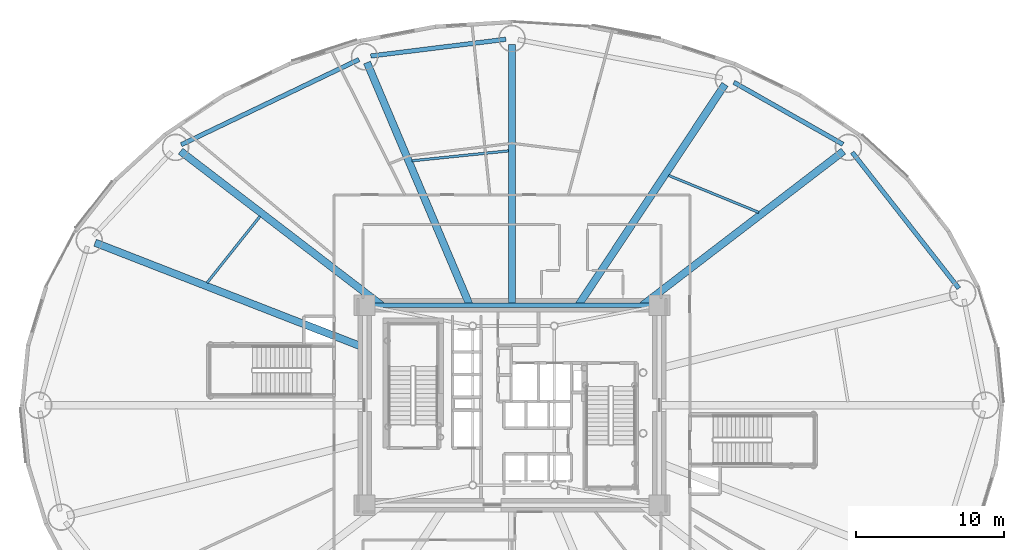
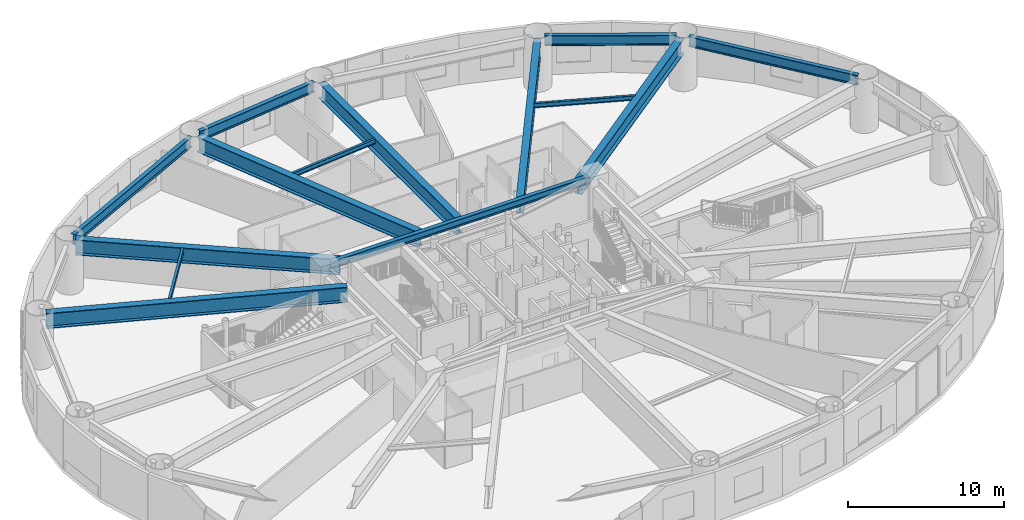
# One storey, part 9 of 27: 14 beams.
"""IFC4 building model written with IfcOpenShell, lengths in metres."""

from ifc_helpers import new_model, si_unit, direction, frame, origin, origin_2d, place, context, subcontext, project, spatial, i_section, extrude, material, material_profile, profile_set, type_object, element, save


model = new_model("IFC4")

# Units and contexts
model_context = context("Model", 3, precision=1e-05, world=origin(), true_north=direction((0.0, 1.0)))
body_context = subcontext(model_context, "Body", "Model", "MODEL_VIEW")
ifc_project = project(units=[si_unit("LENGTHUNIT", "METRE"), si_unit("AREAUNIT", "SQUARE_METRE"), si_unit("VOLUMEUNIT", "CUBIC_METRE"), si_unit("PLANEANGLEUNIT", "RADIAN"), si_unit("MASSUNIT", "GRAM", prefix="KILO")], contexts=[model_context])

# Site, building, storey
site_placement = place(None, origin())
site = spatial("IfcSite", under=ifc_project, at=site_placement, CompositionType="ELEMENT")
building_placement = place(site_placement, origin())
building = spatial("IfcBuilding", under=site, at=building_placement, Name="Linh Dai School and Residence Tower", CompositionType="ELEMENT")
storey_placement = place(building_placement, frame((0.0, 0.0, 22.800048828125)))
storey = spatial("IfcBuildingStorey", under=building, at=storey_placement, Name="L05", CompositionType="ELEMENT", Elevation=22.800048828125)

# Beams
ifc_material = material(Name="Structural Steel S355JR", Category="steel")
ifc_material_profile_1 = material_profile(ifc_material, i_section(OverallWidth=0.300048828125, OverallDepth=0.550048828125, WebThickness=0.014892578125, FlangeThickness=0.029052734375, FilletRadius=0.027099609375, at=origin_2d()), Name="HEB 550")
ifc_profile_set_1 = profile_set([ifc_material_profile_1], Name="Structural Steel S355JR")
beam_type_1 = type_object("IfcBeamType", Name="BM-RG55", PredefinedType="BEAM", material=ifc_profile_set_1)
beam_1_placement = place(storey_placement, frame((45.530029296875, 33.75, 3.625), z_axis=(-1.0, 0.0, 0.0), x_axis=(0.0, -1.0, 0.0)))
element("IfcBeam", 1, at=beam_1_placement, inside=storey, type_object=beam_type_1, Name="L05 Core Perimeter Coupling Girder 3", PredefinedType="BEAM", context=body_context, shape_type="SweptSolid", body=[
    extrude(i_section(OverallWidth=0.300048828125, OverallDepth=0.550048828125, WebThickness=0.014892578125, FlangeThickness=0.029052734375, FilletRadius=0.027099609375, at=origin_2d()), origin(), (0.0, 0.0, 1.0), 19.06005859375),
])
ifc_material_profile_2 = material_profile(ifc_material, i_section(OverallWidth=0.300048828125, OverallDepth=0.800048828125, WebThickness=0.017578125, FlangeThickness=0.032958984375, FilletRadius=0.030029296875, at=origin_2d()), Name="HEB 800")
ifc_profile_set_2 = profile_set([ifc_material_profile_2], Name="Structural Steel S355JR")
beam_type_2 = type_object("IfcBeamType", Name="BM-RG8", PredefinedType="BEAM", material=ifc_profile_set_2)
beam_2_placement = place(storey_placement, frame((66.161376953125, 34.885986328125, 3.5), z_axis=(-0.616811949607, 0.787110550572, 0.0), x_axis=(-0.787110550572, -0.616811949607, 0.0)))
element("IfcBeam", 2, at=beam_2_placement, inside=storey, type_object=beam_type_2, Name="L05 Perimeter Elliptical Ring Beam 02", PredefinedType="BEAM", context=body_context, shape_type="SweptSolid", body=[
    extrude(i_section(OverallWidth=0.300048828125, OverallDepth=0.800048828125, WebThickness=0.017578125, FlangeThickness=0.032958984375, FilletRadius=0.030029296875, at=origin_2d()), origin(), (0.0, 0.0, 1.0), 11.668212890625),
])
beam_3_placement = place(storey_placement, frame((58.340087890625, 44.6083984375, 3.5), z_axis=(-0.869246663758, 0.494378637833, 0.0), x_axis=(-0.494378637833, -0.869246663758, 0.0)))
element("IfcBeam", 3, at=beam_3_placement, inside=storey, type_object=beam_type_2, Name="L05 Perimeter Elliptical Ring Beam 03", PredefinedType="BEAM", context=body_context, shape_type="SweptSolid", body=[
    extrude(i_section(OverallWidth=0.300048828125, OverallDepth=0.800048828125, WebThickness=0.017578125, FlangeThickness=0.032958984375, FilletRadius=0.030029296875, at=origin_2d()), origin(), (0.0, 0.0, 1.0), 8.4736328125),
])
beam_4_placement = place(storey_placement, frame((35.583251953125, 51.6982421875, 3.5), z_axis=(-0.992402470446, -0.123033884169, 0.0), x_axis=(0.123033884169, -0.992402470446, 0.0)))
element("IfcBeam", 4, at=beam_4_placement, inside=storey, type_object=beam_type_2, Name="L05 Perimeter Elliptical Ring Beam 05", PredefinedType="BEAM", context=body_context, shape_type="SweptSolid", body=[
    extrude(i_section(OverallWidth=0.300048828125, OverallDepth=0.800048828125, WebThickness=0.017578125, FlangeThickness=0.032958984375, FilletRadius=0.030029296875, at=origin_2d()), origin(), (0.0, 0.0, 1.0), 9.1875),
])
beam_5_placement = place(storey_placement, frame((25.670166015625, 50.33447265625, 3.5), z_axis=(-0.901703667424, -0.432354595388, 0.0), x_axis=(0.432354595388, -0.901703667424, 0.0)))
element("IfcBeam", 5, at=beam_5_placement, inside=storey, type_object=beam_type_2, Name="L05 Perimeter Elliptical Ring Beam 06", PredefinedType="BEAM", context=body_context, shape_type="SweptSolid", body=[
    extrude(i_section(OverallWidth=0.300048828125, OverallDepth=0.800048828125, WebThickness=0.017578125, FlangeThickness=0.032958984375, FilletRadius=0.030029296875, at=origin_2d()), origin(), (0.0, 0.0, 1.0), 13.304443359375),
])
ifc_material_profile_3 = material_profile(ifc_material, i_section(OverallWidth=0.169921875, OverallDepth=0.360107421875, WebThickness=0.008056640625, FlangeThickness=0.0126953125, FilletRadius=0.01806640625, at=origin_2d()), Name="IPE 360")
ifc_profile_set_3 = profile_set([ifc_material_profile_3], Name="Structural Steel S355JR")
beam_type_3 = type_object("IfcBeamType", Name="BM-SB36", PredefinedType="BEAM", material=ifc_profile_set_3)
beam_6_placement = place(storey_placement, frame((52.655517578125, 40.0146484375, 3.719970703125), z_axis=(-0.925232757167, 0.379399980318, 0.0), x_axis=(-0.379399980318, -0.925232757167, 0.0)))
element("IfcBeam", 6, at=beam_6_placement, inside=storey, type_object=beam_type_3, Name="L05 Secondary Circumferential Floor Beam 02", PredefinedType="BEAM", context=body_context, shape_type="SweptSolid", body=[
    extrude(i_section(OverallWidth=0.169921875, OverallDepth=0.360107421875, WebThickness=0.008056640625, FlangeThickness=0.0126953125, FilletRadius=0.01806640625, at=origin_2d()), origin(), (0.0, 0.0, 1.0), 6.5791015625),
])
beam_7_placement = place(storey_placement, frame((35.771240234375, 44.16650390625, 3.719970703125), z_axis=(-0.994771633593, -0.102124419206, 0.0), x_axis=(0.102124419206, -0.994771633593, 0.0)))
element("IfcBeam", 7, at=beam_7_placement, inside=storey, type_object=beam_type_3, Name="L05 Secondary Circumferential Floor Beam 03", PredefinedType="BEAM", context=body_context, shape_type="SweptSolid", body=[
    extrude(i_section(OverallWidth=0.169921875, OverallDepth=0.360107421875, WebThickness=0.008056640625, FlangeThickness=0.0126953125, FilletRadius=0.01806640625, at=origin_2d()), origin(), (0.0, 0.0, 1.0), 6.5478515625),
])
beam_8_placement = place(storey_placement, frame((18.988525390625, 39.74755859375, 3.719970703125), z_axis=(-0.622918583331, -0.782286672864, 0.0), x_axis=(0.782286672864, -0.622918583331, 0.0)))
element("IfcBeam", 8, at=beam_8_placement, inside=storey, type_object=beam_type_3, Name="L05 Secondary Circumferential Floor Beam 04", PredefinedType="BEAM", context=body_context, shape_type="SweptSolid", body=[
    extrude(i_section(OverallWidth=0.169921875, OverallDepth=0.360107421875, WebThickness=0.008056640625, FlangeThickness=0.0126953125, FilletRadius=0.01806640625, at=origin_2d()), origin(), (0.0, 0.0, 1.0), 5.737060546875),
])
ifc_material_profile_4 = material_profile(ifc_material, i_section(OverallWidth=0.5, OverallDepth=1.199951171875, WebThickness=0.02392578125, FlangeThickness=0.044921875, at=origin_2d()), Name="PG 1200x500x24x45")
ifc_profile_set_4 = profile_set([ifc_material_profile_4], Name="Structural Steel S355JR")
beam_type_4 = type_object("IfcBeamType", Name="BM-TG12", PredefinedType="BEAM", material=ifc_profile_set_4)
beam_9_placement = place(storey_placement, frame((44.807861328125, 33.75, 3.300048828125), z_axis=(0.793713040757, 0.608292371259, 0.0), x_axis=(-0.608292371259, 0.793713040757, 0.0)))
element("IfcBeam", 9, at=beam_9_placement, inside=storey, type_object=beam_type_4, Name="L05 Primary Radial Floor Girder 03", PredefinedType="BEAM", context=body_context, shape_type="SweptSolid", body=[
    extrude(i_section(OverallWidth=0.5, OverallDepth=1.199951171875, WebThickness=0.02392578125, FlangeThickness=0.044921875, at=origin_2d()), origin(), (0.0, 0.0, 1.0), 17.08935546875),
])
beam_10_placement = place(storey_placement, frame((40.481201171875, 33.75, 3.300048828125), z_axis=(0.553108911901, 0.833108955404, 0.0), x_axis=(-0.833108955404, 0.553108911901, 0.0)))
element("IfcBeam", 10, at=beam_10_placement, inside=storey, type_object=beam_type_4, Name="L05 Primary Radial Floor Girder 04", PredefinedType="BEAM", context=body_context, shape_type="SweptSolid", body=[
    extrude(i_section(OverallWidth=0.5, OverallDepth=1.199951171875, WebThickness=0.02392578125, FlangeThickness=0.044921875, at=origin_2d()), origin(), (0.0, 0.0, 1.0), 17.89111328125),
])
beam_11_placement = place(storey_placement, frame((36.0, 33.75, 3.300048828125), z_axis=(0.0, 1.0, 0.0), x_axis=(-1.0, 0.0, 0.0)))
element("IfcBeam", 11, at=beam_11_placement, inside=storey, type_object=beam_type_4, Name="L05 Primary Radial Floor Girder 05", PredefinedType="BEAM", context=body_context, shape_type="SweptSolid", body=[
    extrude(i_section(OverallWidth=0.5, OverallDepth=1.199951171875, WebThickness=0.02392578125, FlangeThickness=0.044921875, at=origin_2d()), origin(), (0.0, 0.0, 1.0), 17.580078125),
])
beam_12_placement = place(storey_placement, frame((33.1435546875, 33.75, 3.300048828125), z_axis=(-0.389695518128, 0.920943756779, 0.0), x_axis=(-0.920943756779, -0.389695518128, 0.0)))
element("IfcBeam", 12, at=beam_12_placement, inside=storey, type_object=beam_type_4, Name="L05 Primary Radial Floor Girder 06", PredefinedType="BEAM", context=body_context, shape_type="SweptSolid", body=[
    extrude(i_section(OverallWidth=0.5, OverallDepth=1.199951171875, WebThickness=0.02392578125, FlangeThickness=0.044921875, at=origin_2d()), origin(), (0.0, 0.0, 1.0), 17.785400390625),
])
beam_13_placement = place(storey_placement, frame((27.192138671875, 33.75, 3.300048828125), z_axis=(-0.793713040757, 0.608292371259, 0.0), x_axis=(-0.608292371259, -0.793713040757, 0.0)))
element("IfcBeam", 13, at=beam_13_placement, inside=storey, type_object=beam_type_4, Name="L05 Primary Radial Floor Girder 07", PredefinedType="BEAM", context=body_context, shape_type="SweptSolid", body=[
    extrude(i_section(OverallWidth=0.5, OverallDepth=1.199951171875, WebThickness=0.02392578125, FlangeThickness=0.044921875, at=origin_2d()), origin(), (0.0, 0.0, 1.0), 17.08935546875),
])
beam_14_placement = place(storey_placement, frame((26.050048828125, 30.87841796875, 3.300048828125), z_axis=(-0.931723276589, 0.363169018312, 0.0), x_axis=(-0.363169018312, -0.931723276589, 0.0)))
element("IfcBeam", 14, at=beam_14_placement, inside=storey, type_object=beam_type_4, Name="L05 Primary Radial Floor Girder 08", PredefinedType="BEAM", context=body_context, shape_type="SweptSolid", body=[
    extrude(i_section(OverallWidth=0.5, OverallDepth=1.199951171875, WebThickness=0.02392578125, FlangeThickness=0.044921875, at=origin_2d()), origin(), (0.0, 0.0, 1.0), 19.525634765625),
])

save(model, "model.ifc")
